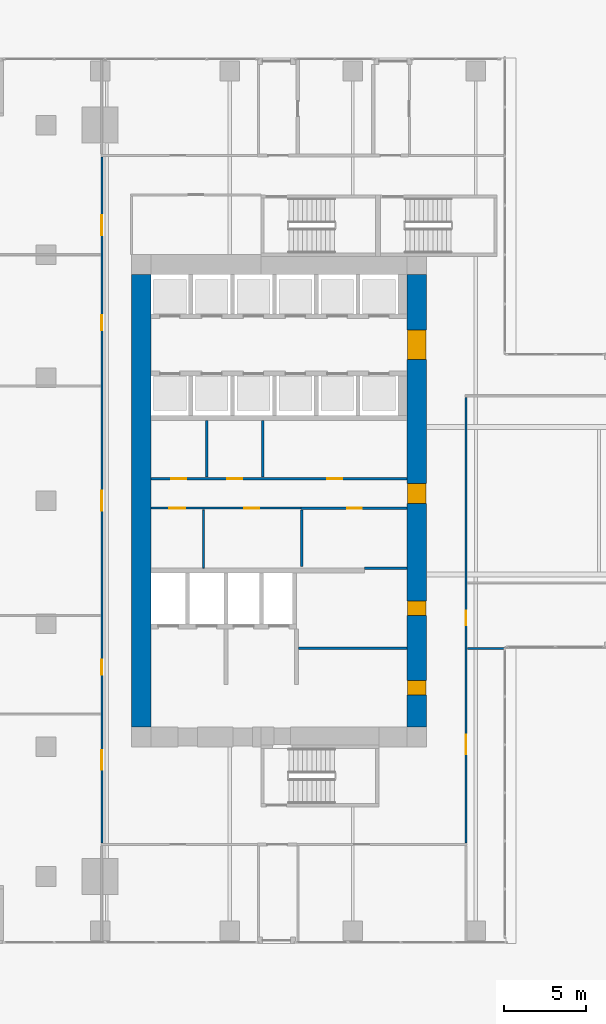
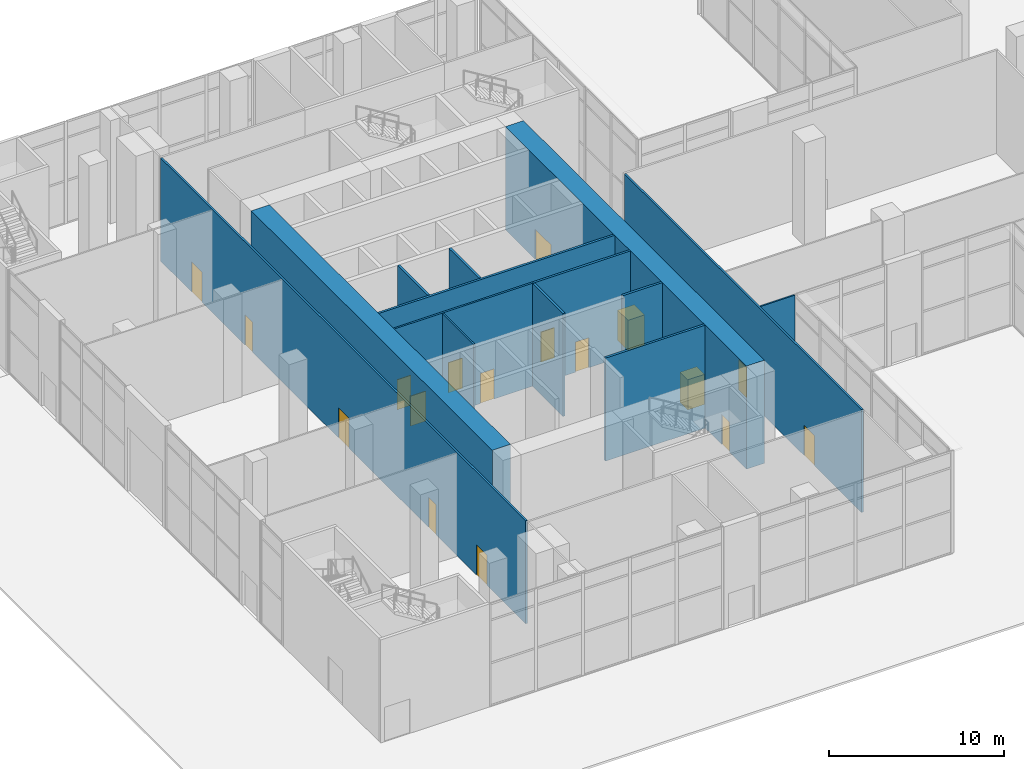
# One storey, part 38 of 52: 17 doors, 14 walls, 17 openings.
"""IFC4 building model written with IfcOpenShell, lengths in metres."""

from ifc_helpers import new_model, si_unit, direction, frame, frame_2d, origin, place, context, subcontext, project, spatial, rectangle, extrude, source, transform, mapped, material, layer, layer_set, type_object, element, fill, save


model = new_model("IFC4")

# Units and contexts
model_context = context("Model", 3, precision=1e-05, world=origin(), true_north=direction((0.0, 1.0)))
body_context = subcontext(model_context, "Body", "Model", "MODEL_VIEW")
ifc_project = project(units=[si_unit("LENGTHUNIT", "METRE"), si_unit("AREAUNIT", "SQUARE_METRE"), si_unit("VOLUMEUNIT", "CUBIC_METRE"), si_unit("PLANEANGLEUNIT", "RADIAN"), si_unit("MASSUNIT", "GRAM", prefix="KILO")], contexts=[model_context])

# Site, building, storey
site_placement = place(None, origin())
site = spatial("IfcSite", under=ifc_project, at=site_placement, CompositionType="ELEMENT")
building_placement = place(site_placement, origin())
building = spatial("IfcBuilding", under=site, at=building_placement, Name="Khomas Fold Tower", CompositionType="ELEMENT")
storey_placement = place(building_placement, origin())
storey = spatial("IfcBuildingStorey", under=building, at=storey_placement, Name="L00", CompositionType="ELEMENT", Elevation=0.0)

# Wall, openings, doors
ifc_material_1 = material(Name="Concrete C70/85", Category="concrete")
ifc_layer_1 = layer(ifc_material_1, 1.199951171875)
ifc_layer_set_1 = layer_set([ifc_layer_1], Name="Concrete C70/85")
wall_type_1 = type_object("IfcWallType", Name="Core wall 1200", PredefinedType="SHEAR", material=ifc_layer_set_1)
shared_shape_1 = source(origin(), body_context, "Body", "SweptSolid", [
    extrude(rectangle(XDim=27.60009765625, YDim=1.199951171875, at=frame_2d((13.800048828125, 0.0))), origin(), (0.0, 0.0, 1.0), 7.199951171875),
])
wall_1_placement = place(storey_placement, frame((23.39990234375, 13.199951171875, 0.0), z_axis=(0.0, 0.0, 1.0), x_axis=(0.0, 1.0, 0.0)))
wall_1 = element("IfcWall", 1, at=wall_1_placement, inside=storey, type_object=wall_type_1, Name="Core wall CW-L-E-B2", PredefinedType="SHEAR", context=body_context, shape_type="MappedRepresentation", body=[
    mapped(shared_shape_1, transform((0.0, 0.0, 0.0))),
])
shared_shape_2 = source(origin(), body_context, "Body", "SweptSolid", [
    extrude(rectangle(XDim=1.800048828125, YDim=2.10009765625, at=frame_2d((0.89990234375, 1.050048828125))), frame((0.0, 0.60986328125, 0.0), z_axis=(0.0, -1.0, 0.0), x_axis=(1.0, 0.0, 0.0)), (0.0, 0.0, 1.0), 1.219970703125),
])
opening_1_placement = place(wall_1_placement, frame((22.39990234375, 0.0, 0.0)))
opening_1 = element("IfcOpeningElement", 2, at=opening_1_placement, cuts=wall_1, Name="Opening 0015", PredefinedType="OPENING", context=body_context, shape_type="MappedRepresentation", body=[
    mapped(shared_shape_2, transform((0.0, 0.0, 0.0))),
])
shared_shape_3 = source(origin(), body_context, "Body", "SweptSolid", [
    extrude(rectangle(XDim=1.199951171875, YDim=2.10009765625, at=frame_2d((0.60009765625, 1.050048828125))), frame((0.0, 0.60986328125, 0.0), z_axis=(0.0, -1.0, 0.0), x_axis=(1.0, 0.0, 0.0)), (0.0, 0.0, 1.0), 1.219970703125),
])
opening_2_placement = place(wall_1_placement, frame((13.64990234375, 0.0, 0.0)))
opening_2 = element("IfcOpeningElement", 3, at=opening_2_placement, cuts=wall_1, Name="Opening 0001", PredefinedType="OPENING", context=body_context, shape_type="MappedRepresentation", body=[
    mapped(shared_shape_3, transform((0.0, 0.0, 0.0))),
])
shared_shape_4 = source(origin(), body_context, "Body", "SweptSolid", [
    extrude(rectangle(XDim=0.89990234375, YDim=2.10009765625, at=frame_2d((0.449951171875, 1.050048828125))), frame((0.0, 0.60986328125, 0.0), z_axis=(0.0, -1.0, 0.0), x_axis=(1.0, 0.0, 0.0)), (0.0, 0.0, 1.0), 1.219970703125),
])
opening_3_placement = place(wall_1_placement, frame((1.949951171875, 0.0, 0.0)))
opening_3 = element("IfcOpeningElement", 4, at=opening_3_placement, cuts=wall_1, Name="Opening 0003", PredefinedType="OPENING", context=body_context, shape_type="MappedRepresentation", body=[
    mapped(shared_shape_4, transform((0.0, 0.0, 0.0))),
])
opening_4_placement = place(wall_1_placement, frame((6.800048828125, 0.0, 0.0)))
opening_4 = element("IfcOpeningElement", 5, at=opening_4_placement, cuts=wall_1, Name="Opening 0003", PredefinedType="OPENING", context=body_context, shape_type="MappedRepresentation", body=[
    mapped(shared_shape_4, transform((0.0, 0.0, 0.0))),
])
ifc_material_2 = material(Name="Timber door leaf", Category="wood")
door_type_1 = type_object("IfcDoorType", Name="Door 1200x2100 right-hand", OperationType="SINGLE_SWING_RIGHT", PredefinedType="DOOR", material=ifc_material_2)
shared_shape_5 = source(origin(), body_context, "Body", "SweptSolid", [
    extrude(rectangle(XDim=1.199951171875, YDim=2.10009765625, at=frame_2d((0.60009765625, 1.050048828125))), frame((0.0, 0.5498046875, 0.0), z_axis=(0.0, -1.0, 0.0), x_axis=(1.0, 0.0, 0.0)), (0.0, 0.0, 1.0), 1.099853515625),
])
door_1_placement = place(opening_2_placement, origin())
door_1 = element("IfcDoor", 6, at=door_1_placement, inside=storey, type_object=door_type_1, Name="Door", OperationType="SINGLE_SWING_RIGHT", OverallHeight=2.10009765625, OverallWidth=1.199951171875, PredefinedType="DOOR", context=body_context, shape_type="MappedRepresentation", body=[
    mapped(shared_shape_5, transform((0.0, 0.0, 0.0))),
])
fill(opening_2, door_1)
ifc_material_3 = material(Name="Steel door leaf", Category="steel")
door_type_2 = type_object("IfcDoorType", Name="Plant room door 900x2100 right-hand", OperationType="SINGLE_SWING_RIGHT", PredefinedType="DOOR", material=ifc_material_3)
shared_shape_6 = source(origin(), body_context, "Body", "SweptSolid", [
    extrude(rectangle(XDim=0.89990234375, YDim=2.10009765625, at=frame_2d((0.449951171875, 1.050048828125))), frame((0.0, 0.5498046875, 0.0), z_axis=(0.0, -1.0, 0.0), x_axis=(1.0, 0.0, 0.0)), (0.0, 0.0, 1.0), 1.099853515625),
])
door_2_placement = place(opening_3_placement, origin())
door_2 = element("IfcDoor", 7, at=door_2_placement, inside=storey, type_object=door_type_2, Name="Plant room door", OperationType="SINGLE_SWING_RIGHT", OverallHeight=2.10009765625, OverallWidth=0.89990234375, PredefinedType="DOOR", context=body_context, shape_type="MappedRepresentation", body=[
    mapped(shared_shape_6, transform((0.0, 0.0, 0.0))),
])
fill(opening_3, door_2)
door_3_placement = place(opening_4_placement, origin())
door_3 = element("IfcDoor", 8, at=door_3_placement, inside=storey, type_object=door_type_2, Name="Plant room door", OperationType="SINGLE_SWING_RIGHT", OverallHeight=2.10009765625, OverallWidth=0.89990234375, PredefinedType="DOOR", context=body_context, shape_type="MappedRepresentation", body=[
    mapped(shared_shape_6, transform((0.0, 0.0, 0.0))),
])
fill(opening_4, door_3)
ifc_material_4 = material(Name="Steel door leaf", Category="steel")
door_type_3 = type_object("IfcDoorType", Name="Lobby door 1800x2100", OperationType="DOUBLE_DOOR_SINGLE_SWING", PredefinedType="DOOR", material=ifc_material_4)
shared_shape_7 = source(origin(), body_context, "Body", "SweptSolid", [
    extrude(rectangle(XDim=1.800048828125, YDim=2.10009765625, at=frame_2d((0.89990234375, 1.050048828125))), frame((0.0, 0.5498046875, 0.0), z_axis=(0.0, -1.0, 0.0), x_axis=(1.0, 0.0, 0.0)), (0.0, 0.0, 1.0), 1.099853515625),
])
door_4_placement = place(opening_1_placement, origin())
door_4 = element("IfcDoor", 9, at=door_4_placement, inside=storey, type_object=door_type_3, Name="Lobby door", OperationType="DOUBLE_DOOR_SINGLE_SWING", OverallHeight=2.10009765625, OverallWidth=1.800048828125, PredefinedType="DOOR", context=body_context, shape_type="MappedRepresentation", body=[
    mapped(shared_shape_7, transform((0.0, 0.0, 0.0))),
])
fill(opening_1, door_4)

# Wall
wall_2_placement = place(storey_placement, frame((6.60009765625, 13.199951171875, 0.0), z_axis=(0.0, 0.0, 1.0), x_axis=(0.0, 1.0, 0.0)))
element("IfcWall", 10, at=wall_2_placement, inside=storey, type_object=wall_type_1, Name="Core wall CW-L-W-B2", PredefinedType="SHEAR", context=body_context, shape_type="MappedRepresentation", body=[
    mapped(shared_shape_1, transform((0.0, 0.0, 0.0))),
])

# Wall, openings, doors
ifc_material_5 = material(Name="Plasterboard partition")
ifc_layer_2 = layer(ifc_material_5, 0.125)
ifc_layer_set_2 = layer_set([ifc_layer_2], Name="Plasterboard partition")
wall_type_2 = type_object("IfcWallType", Name="Partition PW2 125", PredefinedType="PARTITIONING", material=ifc_layer_set_2)
shared_shape_8 = source(origin(), body_context, "Body", "SweptSolid", [
    extrude(rectangle(XDim=41.800048828125, YDim=0.125, at=frame_2d((20.89990234375, 0.0))), origin(), (0.0, 0.0, 1.0), 7.199951171875),
])
wall_3_placement = place(storey_placement, frame((4.199951171875, 6.14990234375, 0.0), z_axis=(0.0, 0.0, 1.0), x_axis=(0.0, 1.0, 0.0)))
wall_3 = element("IfcWall", 11, at=wall_3_placement, inside=storey, type_object=wall_type_2, Name="Partition", PredefinedType="PARTITIONING", context=body_context, shape_type="MappedRepresentation", body=[
    mapped(shared_shape_8, transform((0.0, 0.0, 0.0))),
])
shared_shape_9 = source(origin(), body_context, "Body", "SweptSolid", [
    extrude(rectangle(XDim=1.199951171875, YDim=2.10009765625, at=frame_2d((0.60009765625, 1.050048828125))), frame((0.0, 0.072509765625, 0.0), z_axis=(0.0, -1.0, 0.0), x_axis=(1.0, 0.0, 0.0)), (0.0, 0.0, 1.0), 0.14501953125),
])
opening_5_placement = place(wall_3_placement, frame((4.449951171875, 0.0, 0.0)))
opening_5 = element("IfcOpeningElement", 12, at=opening_5_placement, cuts=wall_3, Name="Opening 0013", PredefinedType="OPENING", context=body_context, shape_type="MappedRepresentation", body=[
    mapped(shared_shape_9, transform((0.0, 0.0, 0.0))),
])
shared_shape_10 = source(origin(), body_context, "Body", "SweptSolid", [
    extrude(rectangle(XDim=0.89990234375, YDim=2.10009765625, at=frame_2d((0.449951171875, 1.050048828125))), frame((0.0, 0.072509765625, 0.0), z_axis=(0.0, -1.0, 0.0), x_axis=(1.0, 0.0, 0.0)), (0.0, 0.0, 1.0), 0.14501953125),
])
opening_6_placement = place(wall_3_placement, frame((10.25, 0.0, 0.0)))
opening_6 = element("IfcOpeningElement", 13, at=opening_6_placement, cuts=wall_3, Name="Opening 0004", PredefinedType="OPENING", context=body_context, shape_type="MappedRepresentation", body=[
    mapped(shared_shape_10, transform((0.0, 0.0, 0.0))),
])
opening_7_placement = place(wall_3_placement, frame((20.25, 0.0, 0.0)))
opening_7 = element("IfcOpeningElement", 14, at=opening_7_placement, cuts=wall_3, Name="Opening 0013", PredefinedType="OPENING", context=body_context, shape_type="MappedRepresentation", body=[
    mapped(shared_shape_9, transform((0.0, 0.0, 0.0))),
])
opening_8_placement = place(wall_3_placement, frame((31.25, 0.0, 0.0)))
opening_8 = element("IfcOpeningElement", 15, at=opening_8_placement, cuts=wall_3, Name="Opening 0008", PredefinedType="OPENING", context=body_context, shape_type="MappedRepresentation", body=[
    mapped(shared_shape_10, transform((0.0, 0.0, 0.0))),
])
opening_9_placement = place(wall_3_placement, frame((37.050048828125, 0.0, 0.0)))
opening_9 = element("IfcOpeningElement", 16, at=opening_9_placement, cuts=wall_3, Name="Opening 0001", PredefinedType="OPENING", context=body_context, shape_type="MappedRepresentation", body=[
    mapped(shared_shape_9, transform((0.0, 0.0, 0.0))),
])
ifc_material_6 = material(Name="Timber door leaf", Category="wood")
door_type_4 = type_object("IfcDoorType", Name="WC door 900x2100 right-hand", OperationType="SINGLE_SWING_RIGHT", PredefinedType="DOOR", material=ifc_material_6)
shared_shape_11 = source(origin(), body_context, "Body", "SweptSolid", [
    extrude(rectangle(XDim=0.89990234375, YDim=2.10009765625, at=frame_2d((0.449951171875, 1.050048828125))), frame((0.0, 0.02490234375, 0.0), z_axis=(0.0, -1.0, 0.0), x_axis=(1.0, 0.0, 0.0)), (0.0, 0.0, 1.0), 0.050048828125),
])
door_5_placement = place(opening_6_placement, origin())
door_5 = element("IfcDoor", 17, at=door_5_placement, inside=storey, type_object=door_type_4, Name="WC door", OperationType="SINGLE_SWING_RIGHT", OverallHeight=2.10009765625, OverallWidth=0.89990234375, PredefinedType="DOOR", context=body_context, shape_type="MappedRepresentation", body=[
    mapped(shared_shape_11, transform((0.0, 0.0, 0.0))),
])
fill(opening_6, door_5)
ifc_material_7 = material(Name="Timber door leaf", Category="wood")
door_type_5 = type_object("IfcDoorType", Name="Door 900x2100 right-hand", OperationType="SINGLE_SWING_RIGHT", PredefinedType="DOOR", material=ifc_material_7)
door_6_placement = place(opening_8_placement, origin())
door_6 = element("IfcDoor", 18, at=door_6_placement, inside=storey, type_object=door_type_5, Name="Door", OperationType="SINGLE_SWING_RIGHT", OverallHeight=2.10009765625, OverallWidth=0.89990234375, PredefinedType="DOOR", context=body_context, shape_type="MappedRepresentation", body=[
    mapped(shared_shape_11, transform((0.0, 0.0, 0.0))),
])
fill(opening_8, door_6)
ifc_material_8 = material(Name="Timber door leaf", Category="wood")
door_type_6 = type_object("IfcDoorType", Name="Door 1200x2100 left-hand", OperationType="SINGLE_SWING_LEFT", PredefinedType="DOOR", material=ifc_material_8)
shared_shape_12 = source(origin(), body_context, "Body", "SweptSolid", [
    extrude(rectangle(XDim=1.199951171875, YDim=2.10009765625, at=frame_2d((0.60009765625, 1.050048828125))), frame((0.0, 0.02490234375, 0.0), z_axis=(0.0, -1.0, 0.0), x_axis=(1.0, 0.0, 0.0)), (0.0, 0.0, 1.0), 0.050048828125),
])
door_7_placement = place(opening_5_placement, origin())
door_7 = element("IfcDoor", 19, at=door_7_placement, inside=storey, type_object=door_type_6, Name="Door", OperationType="SINGLE_SWING_LEFT", OverallHeight=2.10009765625, OverallWidth=1.199951171875, PredefinedType="DOOR", context=body_context, shape_type="MappedRepresentation", body=[
    mapped(shared_shape_12, transform((0.0, 0.0, 0.0))),
])
fill(opening_5, door_7)
door_8_placement = place(opening_7_placement, origin())
door_8 = element("IfcDoor", 20, at=door_8_placement, inside=storey, type_object=door_type_6, Name="Door", OperationType="SINGLE_SWING_LEFT", OverallHeight=2.10009765625, OverallWidth=1.199951171875, PredefinedType="DOOR", context=body_context, shape_type="MappedRepresentation", body=[
    mapped(shared_shape_12, transform((0.0, 0.0, 0.0))),
])
fill(opening_7, door_8)
door_9_placement = place(opening_9_placement, origin())
door_9 = element("IfcDoor", 21, at=door_9_placement, inside=storey, type_object=door_type_1, Name="Door", OperationType="SINGLE_SWING_RIGHT", OverallHeight=2.10009765625, OverallWidth=1.199951171875, PredefinedType="DOOR", context=body_context, shape_type="MappedRepresentation", body=[
    mapped(shared_shape_12, transform((0.0, 0.0, 0.0))),
])
fill(opening_9, door_9)

shared_shape_13 = source(origin(), body_context, "Body", "SweptSolid", [
    extrude(rectangle(XDim=27.150146484375, YDim=0.125, at=frame_2d((13.5751953125, 0.0))), origin(), (0.0, 0.0, 1.0), 7.199951171875),
])
wall_4_placement = place(storey_placement, frame((26.39990234375, 6.14990234375, 0.0), z_axis=(0.0, 0.0, 1.0), x_axis=(0.0, 1.0, 0.0)))
wall_4 = element("IfcWall", 22, at=wall_4_placement, inside=storey, type_object=wall_type_2, Name="Partition", PredefinedType="PARTITIONING", context=body_context, shape_type="MappedRepresentation", body=[
    mapped(shared_shape_13, transform((0.0, 0.0, 0.0))),
])
opening_10_placement = place(wall_4_placement, frame((5.39990234375, 0.0, 0.0)))
opening_10 = element("IfcOpeningElement", 23, at=opening_10_placement, cuts=wall_4, Name="Opening 0001", PredefinedType="OPENING", context=body_context, shape_type="MappedRepresentation", body=[
    mapped(shared_shape_9, transform((0.0, 0.0, 0.0))),
])
opening_11_placement = place(wall_4_placement, frame((13.25, 0.0, 0.0)))
opening_11 = element("IfcOpeningElement", 24, at=opening_11_placement, cuts=wall_4, Name="Opening 0007", PredefinedType="OPENING", context=body_context, shape_type="MappedRepresentation", body=[
    mapped(shared_shape_10, transform((0.0, 0.0, 0.0))),
])
ifc_material_9 = material(Name="Timber door leaf", Category="wood")
door_type_7 = type_object("IfcDoorType", Name="Door 900x2100 left-hand", OperationType="SINGLE_SWING_LEFT", PredefinedType="DOOR", material=ifc_material_9)
door_10_placement = place(opening_11_placement, origin())
door_10 = element("IfcDoor", 25, at=door_10_placement, inside=storey, type_object=door_type_7, Name="Door", OperationType="SINGLE_SWING_LEFT", OverallHeight=2.10009765625, OverallWidth=0.89990234375, PredefinedType="DOOR", context=body_context, shape_type="MappedRepresentation", body=[
    mapped(shared_shape_11, transform((0.0, 0.0, 0.0))),
])
fill(opening_11, door_10)
door_11_placement = place(opening_10_placement, origin())
door_11 = element("IfcDoor", 26, at=door_11_placement, inside=storey, type_object=door_type_1, Name="Door", OperationType="SINGLE_SWING_RIGHT", OverallHeight=2.10009765625, OverallWidth=1.199951171875, PredefinedType="DOOR", context=body_context, shape_type="MappedRepresentation", body=[
    mapped(shared_shape_12, transform((0.0, 0.0, 0.0))),
])
fill(opening_10, door_11)

# Walls
ifc_material_10 = material(Name="Plasterboard fire partition")
ifc_layer_3 = layer(ifc_material_10, 0.14990234375)
ifc_layer_set_3 = layer_set([ifc_layer_3], Name="Plasterboard fire partition")
wall_type_3 = type_object("IfcWallType", Name="Plant room wall PW3 150", PredefinedType="PARTITIONING", material=ifc_layer_set_3)
shared_shape_14 = source(origin(), body_context, "Body", "SweptSolid", [
    extrude(rectangle(XDim=6.60009765625, YDim=0.14990234375, at=frame_2d((3.300048828125, 0.0))), origin(), (0.0, 0.0, 1.0), 7.199951171875),
])
wall_5_placement = place(storey_placement, frame((16.199951171875, 18.0, 0.0), z_axis=(0.0, 0.0, 1.0), x_axis=(1.0, 0.0, 0.0)))
element("IfcWall", 27, at=wall_5_placement, inside=storey, type_object=wall_type_3, Name="Plant room wall", PredefinedType="PARTITIONING", context=body_context, shape_type="MappedRepresentation", body=[
    mapped(shared_shape_14, transform((0.0, 0.0, 0.0))),
])
ifc_material_11 = material(Name="Plasterboard partition")
ifc_layer_4 = layer(ifc_material_11, 0.10009765625)
ifc_layer_set_4 = layer_set([ifc_layer_4], Name="Plasterboard partition")
wall_type_4 = type_object("IfcWallType", Name="Partition PW1 100", PredefinedType="PARTITIONING", material=ifc_layer_set_4)
shared_shape_15 = source(origin(), body_context, "Body", "SweptSolid", [
    extrude(rectangle(XDim=2.25, YDim=0.10009765625, at=frame_2d((1.125, 0.0))), origin(), (0.0, 0.0, 1.0), 7.199951171875),
])
wall_6_placement = place(storey_placement, frame((26.5, 18.0, 0.0), z_axis=(0.0, 0.0, 1.0), x_axis=(1.0, 0.0, 0.0)))
element("IfcWall", 28, at=wall_6_placement, inside=storey, type_object=wall_type_4, Name="Partition", PredefinedType="PARTITIONING", context=body_context, shape_type="MappedRepresentation", body=[
    mapped(shared_shape_15, transform((0.0, 0.0, 0.0))),
])
shared_shape_16 = source(origin(), body_context, "Body", "SweptSolid", [
    extrude(rectangle(XDim=3.550048828125, YDim=0.10009765625, at=frame_2d((1.77490234375, 0.0))), origin(), (0.0, 0.0, 1.0), 7.199951171875),
])
wall_7_placement = place(storey_placement, frame((10.39990234375, 22.89990234375, 0.0), z_axis=(0.0, 0.0, 1.0), x_axis=(0.0, 1.0, 0.0)))
element("IfcWall", 29, at=wall_7_placement, inside=storey, type_object=wall_type_4, Name="Partition", PredefinedType="PARTITIONING", context=body_context, shape_type="MappedRepresentation", body=[
    mapped(shared_shape_16, transform((0.0, 0.0, 0.0))),
])
shared_shape_17 = source(origin(), body_context, "Body", "SweptSolid", [
    extrude(rectangle(XDim=2.60009765625, YDim=0.14990234375, at=frame_2d((1.300048828125, 0.0))), origin(), (0.0, 0.0, 1.0), 7.199951171875),
])
wall_8_placement = place(storey_placement, frame((20.199951171875, 22.89990234375, 0.0), z_axis=(0.0, 0.0, 1.0), x_axis=(1.0, 0.0, 0.0)))
element("IfcWall", 30, at=wall_8_placement, inside=storey, type_object=wall_type_3, Name="Plant room wall", PredefinedType="PARTITIONING", context=body_context, shape_type="MappedRepresentation", body=[
    mapped(shared_shape_17, transform((0.0, 0.0, 0.0))),
])
shared_shape_18 = source(origin(), body_context, "Body", "SweptSolid", [
    extrude(rectangle(XDim=3.449951171875, YDim=0.14990234375, at=frame_2d((1.72509765625, 0.0))), origin(), (0.0, 0.0, 1.0), 7.199951171875),
])
for number, where, z_axis, x_axis, name in (
    (31, (16.39990234375, 23.0, 0.0), (0.0, 0.0, 1.0), (0.0, 1.0, 0.0), "Plant room wall"),
    (32, (10.60009765625, 28.449951171875, 0.0), (0.0, 0.0, 1.0), (0.0, 1.0, 0.0), "Plant room wall"),
    (33, (14.0, 28.449951171875, 0.0), (0.0, 0.0, 1.0), (0.0, 1.0, 0.0), "Plant room wall"),
):
    element("IfcWall", number, at=place(storey_placement, frame(where, z_axis=z_axis, x_axis=x_axis)), inside=storey, type_object=wall_type_3, Name=name, PredefinedType="PARTITIONING", context=body_context, shape_type="MappedRepresentation", body=[
        mapped(shared_shape_18, transform((0.0, 0.0, 0.0))),
    ])

# Wall, openings, doors
shared_shape_19 = source(origin(), body_context, "Body", "SweptSolid", [
    extrude(rectangle(XDim=9.150146484375, YDim=0.125, at=frame_2d((4.5751953125, 0.0))), origin(), (0.0, 0.0, 1.0), 7.199951171875),
])
wall_9_placement = place(storey_placement, frame((7.199951171875, 26.550048828125, 0.0), z_axis=(0.0, 0.0, 1.0), x_axis=(1.0, 0.0, 0.0)))
wall_9 = element("IfcWall", 34, at=wall_9_placement, inside=storey, type_object=wall_type_2, Name="Partition", PredefinedType="PARTITIONING", context=body_context, shape_type="MappedRepresentation", body=[
    mapped(shared_shape_19, transform((0.0, 0.0, 0.0))),
])
shared_shape_20 = source(origin(), body_context, "Body", "SweptSolid", [
    extrude(rectangle(XDim=1.0, YDim=2.10009765625, at=frame_2d((0.5, 1.050048828125))), frame((0.0, 0.072509765625, 0.0), z_axis=(0.0, -1.0, 0.0), x_axis=(1.0, 0.0, 0.0)), (0.0, 0.0, 1.0), 0.14501953125),
])
opening_12_placement = place(wall_9_placement, frame((1.10009765625, 0.0, 0.0)))
opening_12 = element("IfcOpeningElement", 35, at=opening_12_placement, cuts=wall_9, Name="Opening 0014", PredefinedType="OPENING", context=body_context, shape_type="MappedRepresentation", body=[
    mapped(shared_shape_20, transform((0.0, 0.0, 0.0))),
])
opening_13_placement = place(wall_9_placement, frame((5.699951171875, 0.0, 0.0)))
opening_13 = element("IfcOpeningElement", 36, at=opening_13_placement, cuts=wall_9, Name="Opening 0007", PredefinedType="OPENING", context=body_context, shape_type="MappedRepresentation", body=[
    mapped(shared_shape_10, transform((0.0, 0.0, 0.0))),
])
door_12_placement = place(opening_13_placement, origin())
door_12 = element("IfcDoor", 37, at=door_12_placement, inside=storey, type_object=door_type_7, Name="Door", OperationType="SINGLE_SWING_LEFT", OverallHeight=2.10009765625, OverallWidth=0.89990234375, PredefinedType="DOOR", context=body_context, shape_type="MappedRepresentation", body=[
    mapped(shared_shape_11, transform((0.0, 0.0, 0.0))),
])
fill(opening_13, door_12)
ifc_material_12 = material(Name="Timber door leaf", Category="wood")
door_type_8 = type_object("IfcDoorType", Name="WC door 1000x2100 left-hand", OperationType="SINGLE_SWING_LEFT", PredefinedType="DOOR", material=ifc_material_12)
shared_shape_21 = source(origin(), body_context, "Body", "SweptSolid", [
    extrude(rectangle(XDim=1.0, YDim=2.10009765625, at=frame_2d((0.5, 1.050048828125))), frame((0.0, 0.02490234375, 0.0), z_axis=(0.0, -1.0, 0.0), x_axis=(1.0, 0.0, 0.0)), (0.0, 0.0, 1.0), 0.050048828125),
])
door_13_placement = place(opening_12_placement, origin())
door_13 = element("IfcDoor", 38, at=door_13_placement, inside=storey, type_object=door_type_8, Name="WC door", OperationType="SINGLE_SWING_LEFT", OverallHeight=2.10009765625, OverallWidth=1.0, PredefinedType="DOOR", context=body_context, shape_type="MappedRepresentation", body=[
    mapped(shared_shape_21, transform((0.0, 0.0, 0.0))),
])
fill(opening_12, door_13)

# Wall, opening, door
shared_shape_22 = source(origin(), body_context, "Body", "SweptSolid", [
    extrude(rectangle(XDim=6.449951171875, YDim=0.14990234375, at=frame_2d((3.22509765625, 0.0))), origin(), (0.0, 0.0, 1.0), 7.199951171875),
])
wall_10_placement = place(storey_placement, frame((16.35009765625, 26.550048828125, 0.0), z_axis=(0.0, 0.0, 1.0), x_axis=(1.0, 0.0, 0.0)))
wall_10 = element("IfcWall", 39, at=wall_10_placement, inside=storey, type_object=wall_type_3, Name="Plant room wall", PredefinedType="PARTITIONING", context=body_context, shape_type="MappedRepresentation", body=[
    mapped(shared_shape_22, transform((0.0, 0.0, 0.0))),
])
shared_shape_23 = source(origin(), body_context, "Body", "SweptSolid", [
    extrude(rectangle(XDim=0.89990234375, YDim=2.10009765625, at=frame_2d((0.449951171875, 1.050048828125))), frame((0.0, 0.0849609375, 0.0), z_axis=(0.0, -1.0, 0.0), x_axis=(1.0, 0.0, 0.0)), (0.0, 0.0, 1.0), 0.169921875),
])
opening_14_placement = place(wall_10_placement, frame((2.800048828125, 0.0, 0.0)))
opening_14 = element("IfcOpeningElement", 40, at=opening_14_placement, cuts=wall_10, Name="Opening 0002", PredefinedType="OPENING", context=body_context, shape_type="MappedRepresentation", body=[
    mapped(shared_shape_23, transform((0.0, 0.0, 0.0))),
])
ifc_material_13 = material(Name="Steel door leaf", Category="steel")
door_type_9 = type_object("IfcDoorType", Name="Plant room door 900x2100 left-hand", OperationType="SINGLE_SWING_LEFT", PredefinedType="DOOR", material=ifc_material_13)
door_14_placement = place(opening_14_placement, origin())
door_14 = element("IfcDoor", 41, at=door_14_placement, inside=storey, type_object=door_type_9, Name="Plant room door", OperationType="SINGLE_SWING_LEFT", OverallHeight=2.10009765625, OverallWidth=0.89990234375, PredefinedType="DOOR", context=body_context, shape_type="MappedRepresentation", body=[
    mapped(shared_shape_11, transform((0.0, 0.0, 0.0))),
])
fill(opening_14, door_14)

# Wall, openings, doors
shared_shape_24 = source(origin(), body_context, "Body", "SweptSolid", [
    extrude(rectangle(XDim=15.60009765625, YDim=0.14990234375, at=frame_2d((7.800048828125, 0.0))), origin(), (0.0, 0.0, 1.0), 7.199951171875),
])
wall_11_placement = place(storey_placement, frame((7.199951171875, 28.35009765625, 0.0), z_axis=(0.0, 0.0, 1.0), x_axis=(1.0, 0.0, 0.0)))
wall_11 = element("IfcWall", 42, at=wall_11_placement, inside=storey, type_object=wall_type_3, Name="Plant room wall", PredefinedType="PARTITIONING", context=body_context, shape_type="MappedRepresentation", body=[
    mapped(shared_shape_24, transform((0.0, 0.0, 0.0))),
])
opening_15_placement = place(wall_11_placement, frame((1.25, 0.0, 0.0)))
opening_15 = element("IfcOpeningElement", 43, at=opening_15_placement, cuts=wall_11, Name="Opening 0002", PredefinedType="OPENING", context=body_context, shape_type="MappedRepresentation", body=[
    mapped(shared_shape_23, transform((0.0, 0.0, 0.0))),
])
opening_16_placement = place(wall_11_placement, frame((4.64990234375, 0.0, 0.0)))
opening_16 = element("IfcOpeningElement", 44, at=opening_16_placement, cuts=wall_11, Name="Opening 0003", PredefinedType="OPENING", context=body_context, shape_type="MappedRepresentation", body=[
    mapped(shared_shape_23, transform((0.0, 0.0, 0.0))),
])
opening_17_placement = place(wall_11_placement, frame((10.75, 0.0, 0.0)))
opening_17 = element("IfcOpeningElement", 45, at=opening_17_placement, cuts=wall_11, Name="Opening 0002", PredefinedType="OPENING", context=body_context, shape_type="MappedRepresentation", body=[
    mapped(shared_shape_23, transform((0.0, 0.0, 0.0))),
])
door_15_placement = place(opening_15_placement, origin())
door_15 = element("IfcDoor", 46, at=door_15_placement, inside=storey, type_object=door_type_9, Name="Plant room door", OperationType="SINGLE_SWING_LEFT", OverallHeight=2.10009765625, OverallWidth=0.89990234375, PredefinedType="DOOR", context=body_context, shape_type="MappedRepresentation", body=[
    mapped(shared_shape_11, transform((0.0, 0.0, 0.0))),
])
fill(opening_15, door_15)
door_16_placement = place(opening_16_placement, origin())
door_16 = element("IfcDoor", 47, at=door_16_placement, inside=storey, type_object=door_type_2, Name="Plant room door", OperationType="SINGLE_SWING_RIGHT", OverallHeight=2.10009765625, OverallWidth=0.89990234375, PredefinedType="DOOR", context=body_context, shape_type="MappedRepresentation", body=[
    mapped(shared_shape_11, transform((0.0, 0.0, 0.0))),
])
fill(opening_16, door_16)
door_17_placement = place(opening_17_placement, origin())
door_17 = element("IfcDoor", 48, at=door_17_placement, inside=storey, type_object=door_type_9, Name="Plant room door", OperationType="SINGLE_SWING_LEFT", OverallHeight=2.10009765625, OverallWidth=0.89990234375, PredefinedType="DOOR", context=body_context, shape_type="MappedRepresentation", body=[
    mapped(shared_shape_11, transform((0.0, 0.0, 0.0))),
])
fill(opening_17, door_17)

save(model, "model.ifc")
